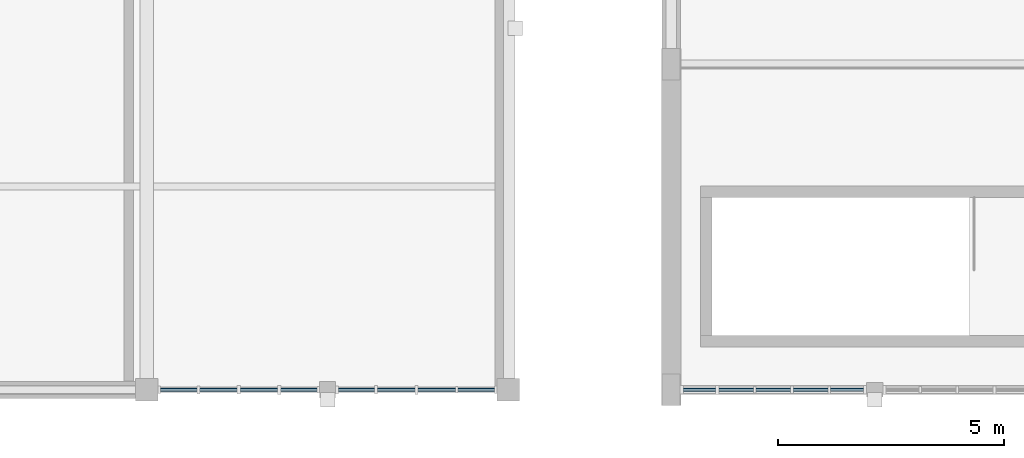
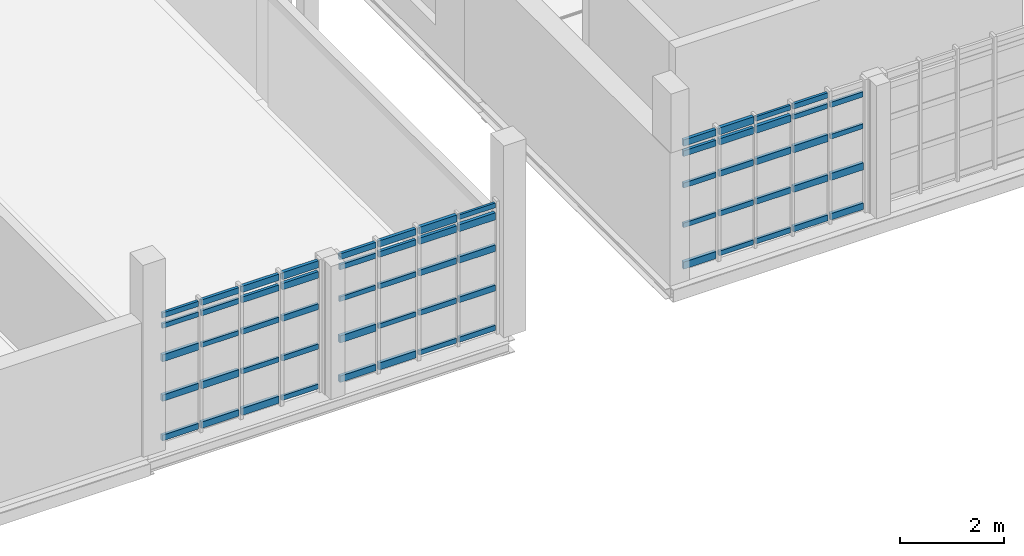
# One storey, part 52 of 125: 64 members, 3 elements without a shape of their own.
"""IFC4 building model written with IfcOpenShell, lengths in metres."""

from ifc_helpers import new_model, si_unit, direction, frame, origin, origin_2d, place, context, subcontext, project, spatial, rectangle, extrude, material, material_profile, profile_set, type_object, element, aggregate, save


model = new_model("IFC4")

# Units and contexts
model_context = context("Model", 3, precision=1e-05, world=origin(), true_north=direction((0.0, 1.0)))
body_context = subcontext(model_context, "Body", "Model", "MODEL_VIEW")
ifc_project = project(units=[si_unit("LENGTHUNIT", "METRE"), si_unit("AREAUNIT", "SQUARE_METRE"), si_unit("VOLUMEUNIT", "CUBIC_METRE"), si_unit("PLANEANGLEUNIT", "RADIAN"), si_unit("MASSUNIT", "GRAM", prefix="KILO")], contexts=[model_context])

# Site, building, storey
site_placement = place(None, origin())
site = spatial("IfcSite", under=ifc_project, at=site_placement, CompositionType="ELEMENT")
building_placement = place(site_placement, origin())
building = spatial("IfcBuilding", under=site, at=building_placement, Name="Serraforn Aerial Cableway Station", CompositionType="ELEMENT")
storey_placement = place(building_placement, frame((0.0, 0.0, 4.5)))
storey = spatial("IfcBuildingStorey", under=building, at=storey_placement, Name="L01", CompositionType="ELEMENT", Elevation=4.5)

# Curtain wall, members
ifc_material_1 = material(Name="Anodised bronze unitised curtain wall")
curtain_wall_type_1 = type_object("IfcCurtainWallType", Name="CW-SYS-11", PredefinedType="USERDEFINED", material=ifc_material_1)
curtain_wall_1_placement = place(storey_placement, origin())
curtain_wall_1 = element("IfcCurtainWall", 1, at=curtain_wall_1_placement, inside=storey, type_object=curtain_wall_type_1, Name="Unitised Curtain Wall CW-W-L01-S3A", ObjectType="UNITISED CURTAIN WALL", PredefinedType="USERDEFINED")
ifc_material_2 = material(Name="Anodised bronze extruded aluminium", Category="aluminium")
ifc_material_profile_1 = material_profile(ifc_material_2, rectangle(XDim=0.054931640625, YDim=0.110107421875, at=origin_2d()), Name="CW TRANSOM 55x110")
ifc_profile_set_1 = profile_set([ifc_material_profile_1], Name="Anodised bronze extruded aluminium")
member_type_1 = type_object("IfcMemberType", Name="CW-TRN-1", PredefinedType="USERDEFINED", material=ifc_profile_set_1)
member_1_placement = place(storey_placement, frame((16.305908203125, 0.0, 2.74560546875), z_axis=(1.0, 0.0, 0.0), x_axis=(0.0, 1.0, 0.0)))
member_1 = element("IfcMember", 2, at=member_1_placement, type_object=member_type_1, Name="Curtain Wall Transom CW-W-L01-S3A-T1-4", ObjectType="TRANSOM", PredefinedType="USERDEFINED", context=body_context, shape_type="SweptSolid", body=[
    extrude(rectangle(XDim=0.054931640625, YDim=0.110107421875, at=origin_2d()), origin(), (0.0, 0.0, 1.0), 0.8046875),
])
member_2_placement = place(storey_placement, frame((17.17138671875, 0.0, 1.996826171875), z_axis=(1.0, 0.0, 0.0), x_axis=(0.0, 1.0, 0.0)))
member_2 = element("IfcMember", 3, at=member_2_placement, type_object=member_type_1, Name="Curtain Wall Transom CW-W-L01-S3A-T2-3", ObjectType="TRANSOM", PredefinedType="USERDEFINED", context=body_context, shape_type="SweptSolid", body=[
    extrude(rectangle(XDim=0.054931640625, YDim=0.110107421875, at=origin_2d()), origin(), (0.0, 0.0, 1.0), 0.82958984375),
])
member_3_placement = place(storey_placement, frame((18.06689453125, 0.0, 1.060791015625), z_axis=(1.0, 0.0, 0.0), x_axis=(0.0, 1.0, 0.0)))
member_3 = element("IfcMember", 4, at=member_3_placement, type_object=member_type_1, Name="Curtain Wall Transom CW-W-L01-S3A-T3-2", ObjectType="TRANSOM", PredefinedType="USERDEFINED", context=body_context, shape_type="SweptSolid", body=[
    extrude(rectangle(XDim=0.054931640625, YDim=0.110107421875, at=origin_2d()), origin(), (0.0, 0.0, 1.0), 0.82470703125),
])
member_4_placement = place(storey_placement, frame((18.96240234375, 0.0, 0.124755859375), z_axis=(1.0, 0.0, 0.0), x_axis=(0.0, 1.0, 0.0)))
member_4 = element("IfcMember", 5, at=member_4_placement, type_object=member_type_1, Name="Curtain Wall Transom CW-W-L01-S3A-T4-1", ObjectType="TRANSOM", PredefinedType="USERDEFINED", context=body_context, shape_type="SweptSolid", body=[
    extrude(rectangle(XDim=0.054931640625, YDim=0.110107421875, at=origin_2d()), origin(), (0.0, 0.0, 1.0), 0.8046875),
])

curtain_wall_type_2 = type_object("IfcCurtainWallType", Name="CW-SYS-12", PredefinedType="USERDEFINED", material=ifc_material_1)
curtain_wall_2_placement = place(storey_placement, origin())
curtain_wall_2 = element("IfcCurtainWall", 6, at=curtain_wall_2_placement, inside=storey, type_object=curtain_wall_type_2, Name="Unitised Curtain Wall CW-W-L01-S3B", ObjectType="UNITISED CURTAIN WALL", PredefinedType="USERDEFINED")
member_5_placement = place(storey_placement, frame((20.242919921875, 0.0, 1.996826171875), z_axis=(1.0, 0.0, 0.0), x_axis=(0.0, 1.0, 0.0)))
member_5 = element("IfcMember", 7, at=member_5_placement, type_object=member_type_1, Name="Curtain Wall Transom CW-W-L01-S3B-T1-3", ObjectType="TRANSOM", PredefinedType="USERDEFINED", context=body_context, shape_type="SweptSolid", body=[
    extrude(rectangle(XDim=0.054931640625, YDim=0.110107421875, at=origin_2d()), origin(), (0.0, 0.0, 1.0), 0.797119140625),
])
member_6_placement = place(storey_placement, frame((21.10595703125, 0.0, 1.060791015625), z_axis=(1.0, 0.0, 0.0), x_axis=(0.0, 1.0, 0.0)))
member_6 = element("IfcMember", 8, at=member_6_placement, type_object=member_type_1, Name="Curtain Wall Transom CW-W-L01-S3B-T2-2", ObjectType="TRANSOM", PredefinedType="USERDEFINED", context=body_context, shape_type="SweptSolid", body=[
    extrude(rectangle(XDim=0.054931640625, YDim=0.110107421875, at=origin_2d()), origin(), (0.0, 0.0, 1.0), 0.824462890625),
])
member_7_placement = place(storey_placement, frame((22.00146484375, 0.0, 0.124755859375), z_axis=(1.0, 0.0, 0.0), x_axis=(0.0, 1.0, 0.0)))
member_7 = element("IfcMember", 9, at=member_7_placement, type_object=member_type_1, Name="Curtain Wall Transom CW-W-L01-S3B-T3-1", ObjectType="TRANSOM", PredefinedType="USERDEFINED", context=body_context, shape_type="SweptSolid", body=[
    extrude(rectangle(XDim=0.054931640625, YDim=0.110107421875, at=origin_2d()), origin(), (0.0, 0.0, 1.0), 0.83203125),
])
member_8_placement = place(storey_placement, frame((22.884521484375, 0.0, 2.9951171875), z_axis=(1.0, 0.0, 0.0), x_axis=(0.0, 1.0, 0.0)))
member_8 = element("IfcMember", 10, at=member_8_placement, type_object=member_type_1, Name="Curtain Wall Transom CW-W-L01-S3B-T4-5", ObjectType="TRANSOM", PredefinedType="USERDEFINED", context=body_context, shape_type="SweptSolid", body=[
    extrude(rectangle(XDim=0.054931640625, YDim=0.110107421875, at=origin_2d()), origin(), (0.0, 0.0, 1.0), 0.8095703125),
])

curtain_wall_type_3 = type_object("IfcCurtainWallType", Name="CW-SYS-25", PredefinedType="USERDEFINED", material=ifc_material_1)
curtain_wall_3_placement = place(storey_placement, origin())
curtain_wall_3 = element("IfcCurtainWall", 11, at=curtain_wall_3_placement, inside=storey, type_object=curtain_wall_type_3, Name="Unitised Curtain Wall CW-CF-L01-S1A", ObjectType="UNITISED CURTAIN WALL", PredefinedType="USERDEFINED")
member_9_placement = place(storey_placement, frame((27.865966796875, 0.0, 1.060791015625), z_axis=(1.0, 0.0, 0.0), x_axis=(0.0, 1.0, 0.0)))
member_9 = element("IfcMember", 12, at=member_9_placement, type_object=member_type_1, Name="Curtain Wall Transom CW-CF-L01-S1A-T1-2", ObjectType="TRANSOM", PredefinedType="USERDEFINED", context=body_context, shape_type="SweptSolid", body=[
    extrude(rectangle(XDim=0.054931640625, YDim=0.110107421875, at=origin_2d()), origin(), (0.0, 0.0, 1.0), 0.720947265625),
])
member_10_placement = place(storey_placement, frame((28.657958984375, 0.0, 0.124755859375), z_axis=(1.0, 0.0, 0.0), x_axis=(0.0, 1.0, 0.0)))
member_10 = element("IfcMember", 13, at=member_10_placement, type_object=member_type_1, Name="Curtain Wall Transom CW-CF-L01-S1A-T2-1", ObjectType="TRANSOM", PredefinedType="USERDEFINED", context=body_context, shape_type="SweptSolid", body=[
    extrude(rectangle(XDim=0.054931640625, YDim=0.110107421875, at=origin_2d()), origin(), (0.0, 0.0, 1.0), 0.763427734375),
])
member_11_placement = place(storey_placement, frame((29.472412109375, 0.0, 2.9951171875), z_axis=(1.0, 0.0, 0.0), x_axis=(0.0, 1.0, 0.0)))
member_11 = element("IfcMember", 14, at=member_11_placement, type_object=member_type_1, Name="Curtain Wall Transom CW-CF-L01-S1A-T3-5", ObjectType="TRANSOM", PredefinedType="USERDEFINED", context=body_context, shape_type="SweptSolid", body=[
    extrude(rectangle(XDim=0.054931640625, YDim=0.110107421875, at=origin_2d()), origin(), (0.0, 0.0, 1.0), 0.770751953125),
])
member_12_placement = place(storey_placement, frame((30.29931640625, 0.0, 2.74560546875), z_axis=(1.0, 0.0, 0.0), x_axis=(0.0, 1.0, 0.0)))
member_12 = element("IfcMember", 15, at=member_12_placement, type_object=member_type_1, Name="Curtain Wall Transom CW-CF-L01-S1A-T4-4", ObjectType="TRANSOM", PredefinedType="USERDEFINED", context=body_context, shape_type="SweptSolid", body=[
    extrude(rectangle(XDim=0.054931640625, YDim=0.110107421875, at=origin_2d()), origin(), (0.0, 0.0, 1.0), 0.765869140625),
])
member_13_placement = place(storey_placement, frame((31.126220703125, 0.0, 1.996826171875), z_axis=(1.0, 0.0, 0.0), x_axis=(0.0, 1.0, 0.0)))
member_13 = element("IfcMember", 16, at=member_13_placement, type_object=member_type_1, Name="Curtain Wall Transom CW-CF-L01-S1A-T5-3", ObjectType="TRANSOM", PredefinedType="USERDEFINED", context=body_context, shape_type="SweptSolid", body=[
    extrude(rectangle(XDim=0.054931640625, YDim=0.110107421875, at=origin_2d()), origin(), (0.0, 0.0, 1.0), 0.725830078125),
])

# Member
ifc_material_profile_2 = material_profile(ifc_material_2, rectangle(XDim=0.06005859375, YDim=0.1201171875, at=origin_2d()), Name="CW TRANSOM 60x120")
ifc_profile_set_2 = profile_set([ifc_material_profile_2], Name="Anodised bronze extruded aluminium")
member_type_2 = type_object("IfcMemberType", Name="CW-TRN-2", PredefinedType="USERDEFINED", material=ifc_profile_set_2)
member_14_placement = place(storey_placement, frame((16.305908203125, 0.0, 2.9951171875), z_axis=(1.0, 0.0, 0.0), x_axis=(0.0, 1.0, 0.0)))
member_14 = element("IfcMember", 17, at=member_14_placement, type_object=member_type_2, Name="Curtain Wall Transom CW-W-L01-S3A-T1-5", ObjectType="TRANSOM", PredefinedType="USERDEFINED", context=body_context, shape_type="SweptSolid", body=[
    extrude(rectangle(XDim=0.06005859375, YDim=0.1201171875, at=origin_2d()), origin(), (0.0, 0.0, 1.0), 0.8046875),
])

member_15_placement = place(storey_placement, frame((17.17138671875, 0.0, 2.74560546875), z_axis=(1.0, 0.0, 0.0), x_axis=(0.0, 1.0, 0.0)))
member_15 = element("IfcMember", 18, at=member_15_placement, type_object=member_type_2, Name="Curtain Wall Transom CW-W-L01-S3A-T2-4", ObjectType="TRANSOM", PredefinedType="USERDEFINED", context=body_context, shape_type="SweptSolid", body=[
    extrude(rectangle(XDim=0.06005859375, YDim=0.1201171875, at=origin_2d()), origin(), (0.0, 0.0, 1.0), 0.82958984375),
])

member_16_placement = place(storey_placement, frame((18.06689453125, 0.0, 1.996826171875), z_axis=(1.0, 0.0, 0.0), x_axis=(0.0, 1.0, 0.0)))
member_16 = element("IfcMember", 19, at=member_16_placement, type_object=member_type_2, Name="Curtain Wall Transom CW-W-L01-S3A-T3-3", ObjectType="TRANSOM", PredefinedType="USERDEFINED", context=body_context, shape_type="SweptSolid", body=[
    extrude(rectangle(XDim=0.06005859375, YDim=0.1201171875, at=origin_2d()), origin(), (0.0, 0.0, 1.0), 0.82470703125),
])

member_17_placement = place(storey_placement, frame((18.96240234375, 0.0, 1.060791015625), z_axis=(1.0, 0.0, 0.0), x_axis=(0.0, 1.0, 0.0)))
member_17 = element("IfcMember", 20, at=member_17_placement, type_object=member_type_2, Name="Curtain Wall Transom CW-W-L01-S3A-T4-2", ObjectType="TRANSOM", PredefinedType="USERDEFINED", context=body_context, shape_type="SweptSolid", body=[
    extrude(rectangle(XDim=0.06005859375, YDim=0.1201171875, at=origin_2d()), origin(), (0.0, 0.0, 1.0), 0.8046875),
])

member_18_placement = place(storey_placement, frame((20.242919921875, 0.0, 2.74560546875), z_axis=(1.0, 0.0, 0.0), x_axis=(0.0, 1.0, 0.0)))
member_18 = element("IfcMember", 21, at=member_18_placement, type_object=member_type_2, Name="Curtain Wall Transom CW-W-L01-S3B-T1-4", ObjectType="TRANSOM", PredefinedType="USERDEFINED", context=body_context, shape_type="SweptSolid", body=[
    extrude(rectangle(XDim=0.06005859375, YDim=0.1201171875, at=origin_2d()), origin(), (0.0, 0.0, 1.0), 0.797119140625),
])

member_19_placement = place(storey_placement, frame((21.10595703125, 0.0, 1.996826171875), z_axis=(1.0, 0.0, 0.0), x_axis=(0.0, 1.0, 0.0)))
member_19 = element("IfcMember", 22, at=member_19_placement, type_object=member_type_2, Name="Curtain Wall Transom CW-W-L01-S3B-T2-3", ObjectType="TRANSOM", PredefinedType="USERDEFINED", context=body_context, shape_type="SweptSolid", body=[
    extrude(rectangle(XDim=0.06005859375, YDim=0.1201171875, at=origin_2d()), origin(), (0.0, 0.0, 1.0), 0.824462890625),
])

member_20_placement = place(storey_placement, frame((22.00146484375, 0.0, 1.060791015625), z_axis=(1.0, 0.0, 0.0), x_axis=(0.0, 1.0, 0.0)))
member_20 = element("IfcMember", 23, at=member_20_placement, type_object=member_type_2, Name="Curtain Wall Transom CW-W-L01-S3B-T3-2", ObjectType="TRANSOM", PredefinedType="USERDEFINED", context=body_context, shape_type="SweptSolid", body=[
    extrude(rectangle(XDim=0.06005859375, YDim=0.1201171875, at=origin_2d()), origin(), (0.0, 0.0, 1.0), 0.83203125),
])

member_21_placement = place(storey_placement, frame((22.884521484375, 0.0, 0.124755859375), z_axis=(1.0, 0.0, 0.0), x_axis=(0.0, 1.0, 0.0)))
member_21 = element("IfcMember", 24, at=member_21_placement, type_object=member_type_2, Name="Curtain Wall Transom CW-W-L01-S3B-T4-1", ObjectType="TRANSOM", PredefinedType="USERDEFINED", context=body_context, shape_type="SweptSolid", body=[
    extrude(rectangle(XDim=0.06005859375, YDim=0.1201171875, at=origin_2d()), origin(), (0.0, 0.0, 1.0), 0.8095703125),
])

member_22_placement = place(storey_placement, frame((27.865966796875, 0.0, 1.996826171875), z_axis=(1.0, 0.0, 0.0), x_axis=(0.0, 1.0, 0.0)))
member_22 = element("IfcMember", 25, at=member_22_placement, type_object=member_type_2, Name="Curtain Wall Transom CW-CF-L01-S1A-T1-3", ObjectType="TRANSOM", PredefinedType="USERDEFINED", context=body_context, shape_type="SweptSolid", body=[
    extrude(rectangle(XDim=0.06005859375, YDim=0.1201171875, at=origin_2d()), origin(), (0.0, 0.0, 1.0), 0.720947265625),
])

member_23_placement = place(storey_placement, frame((28.657958984375, 0.0, 1.060791015625), z_axis=(1.0, 0.0, 0.0), x_axis=(0.0, 1.0, 0.0)))
member_23 = element("IfcMember", 26, at=member_23_placement, type_object=member_type_2, Name="Curtain Wall Transom CW-CF-L01-S1A-T2-2", ObjectType="TRANSOM", PredefinedType="USERDEFINED", context=body_context, shape_type="SweptSolid", body=[
    extrude(rectangle(XDim=0.06005859375, YDim=0.1201171875, at=origin_2d()), origin(), (0.0, 0.0, 1.0), 0.763427734375),
])

member_24_placement = place(storey_placement, frame((29.472412109375, 0.0, 0.124755859375), z_axis=(1.0, 0.0, 0.0), x_axis=(0.0, 1.0, 0.0)))
member_24 = element("IfcMember", 27, at=member_24_placement, type_object=member_type_2, Name="Curtain Wall Transom CW-CF-L01-S1A-T3-1", ObjectType="TRANSOM", PredefinedType="USERDEFINED", context=body_context, shape_type="SweptSolid", body=[
    extrude(rectangle(XDim=0.06005859375, YDim=0.1201171875, at=origin_2d()), origin(), (0.0, 0.0, 1.0), 0.770751953125),
])

member_25_placement = place(storey_placement, frame((30.29931640625, 0.0, 2.9951171875), z_axis=(1.0, 0.0, 0.0), x_axis=(0.0, 1.0, 0.0)))
member_25 = element("IfcMember", 28, at=member_25_placement, type_object=member_type_2, Name="Curtain Wall Transom CW-CF-L01-S1A-T4-5", ObjectType="TRANSOM", PredefinedType="USERDEFINED", context=body_context, shape_type="SweptSolid", body=[
    extrude(rectangle(XDim=0.06005859375, YDim=0.1201171875, at=origin_2d()), origin(), (0.0, 0.0, 1.0), 0.765869140625),
])

member_26_placement = place(storey_placement, frame((31.126220703125, 0.0, 2.74560546875), z_axis=(1.0, 0.0, 0.0), x_axis=(0.0, 1.0, 0.0)))
member_26 = element("IfcMember", 29, at=member_26_placement, type_object=member_type_2, Name="Curtain Wall Transom CW-CF-L01-S1A-T5-4", ObjectType="TRANSOM", PredefinedType="USERDEFINED", context=body_context, shape_type="SweptSolid", body=[
    extrude(rectangle(XDim=0.06005859375, YDim=0.1201171875, at=origin_2d()), origin(), (0.0, 0.0, 1.0), 0.725830078125),
])

ifc_material_profile_3 = material_profile(ifc_material_2, rectangle(XDim=0.06494140625, YDim=0.135009765625, at=origin_2d()), Name="CW TRANSOM 65x135")
ifc_profile_set_3 = profile_set([ifc_material_profile_3], Name="Anodised bronze extruded aluminium")
member_type_3 = type_object("IfcMemberType", Name="CW-TRN-3", PredefinedType="USERDEFINED", material=ifc_profile_set_3)
member_27_placement = place(storey_placement, frame((16.305908203125, 0.0, 0.124755859375), z_axis=(1.0, 0.0, 0.0), x_axis=(0.0, 1.0, 0.0)))
member_27 = element("IfcMember", 30, at=member_27_placement, type_object=member_type_3, Name="Curtain Wall Transom CW-W-L01-S3A-T1-1", ObjectType="TRANSOM", PredefinedType="USERDEFINED", context=body_context, shape_type="SweptSolid", body=[
    extrude(rectangle(XDim=0.06494140625, YDim=0.135009765625, at=origin_2d()), origin(), (0.0, 0.0, 1.0), 0.8046875),
])

member_28_placement = place(storey_placement, frame((17.17138671875, 0.0, 2.9951171875), z_axis=(1.0, 0.0, 0.0), x_axis=(0.0, 1.0, 0.0)))
member_28 = element("IfcMember", 31, at=member_28_placement, type_object=member_type_3, Name="Curtain Wall Transom CW-W-L01-S3A-T2-5", ObjectType="TRANSOM", PredefinedType="USERDEFINED", context=body_context, shape_type="SweptSolid", body=[
    extrude(rectangle(XDim=0.06494140625, YDim=0.135009765625, at=origin_2d()), origin(), (0.0, 0.0, 1.0), 0.82958984375),
])

member_29_placement = place(storey_placement, frame((18.06689453125, 0.0, 2.74560546875), z_axis=(1.0, 0.0, 0.0), x_axis=(0.0, 1.0, 0.0)))
member_29 = element("IfcMember", 32, at=member_29_placement, type_object=member_type_3, Name="Curtain Wall Transom CW-W-L01-S3A-T3-4", ObjectType="TRANSOM", PredefinedType="USERDEFINED", context=body_context, shape_type="SweptSolid", body=[
    extrude(rectangle(XDim=0.06494140625, YDim=0.135009765625, at=origin_2d()), origin(), (0.0, 0.0, 1.0), 0.82470703125),
])

member_30_placement = place(storey_placement, frame((18.96240234375, 0.0, 1.996826171875), z_axis=(1.0, 0.0, 0.0), x_axis=(0.0, 1.0, 0.0)))
member_30 = element("IfcMember", 33, at=member_30_placement, type_object=member_type_3, Name="Curtain Wall Transom CW-W-L01-S3A-T4-3", ObjectType="TRANSOM", PredefinedType="USERDEFINED", context=body_context, shape_type="SweptSolid", body=[
    extrude(rectangle(XDim=0.06494140625, YDim=0.135009765625, at=origin_2d()), origin(), (0.0, 0.0, 1.0), 0.8046875),
])

member_31_placement = place(storey_placement, frame((20.242919921875, 0.0, 2.9951171875), z_axis=(1.0, 0.0, 0.0), x_axis=(0.0, 1.0, 0.0)))
member_31 = element("IfcMember", 34, at=member_31_placement, type_object=member_type_3, Name="Curtain Wall Transom CW-W-L01-S3B-T1-5", ObjectType="TRANSOM", PredefinedType="USERDEFINED", context=body_context, shape_type="SweptSolid", body=[
    extrude(rectangle(XDim=0.06494140625, YDim=0.135009765625, at=origin_2d()), origin(), (0.0, 0.0, 1.0), 0.797119140625),
])

member_32_placement = place(storey_placement, frame((21.10595703125, 0.0, 2.74560546875), z_axis=(1.0, 0.0, 0.0), x_axis=(0.0, 1.0, 0.0)))
member_32 = element("IfcMember", 35, at=member_32_placement, type_object=member_type_3, Name="Curtain Wall Transom CW-W-L01-S3B-T2-4", ObjectType="TRANSOM", PredefinedType="USERDEFINED", context=body_context, shape_type="SweptSolid", body=[
    extrude(rectangle(XDim=0.06494140625, YDim=0.135009765625, at=origin_2d()), origin(), (0.0, 0.0, 1.0), 0.824462890625),
])

member_33_placement = place(storey_placement, frame((22.00146484375, 0.0, 1.996826171875), z_axis=(1.0, 0.0, 0.0), x_axis=(0.0, 1.0, 0.0)))
member_33 = element("IfcMember", 36, at=member_33_placement, type_object=member_type_3, Name="Curtain Wall Transom CW-W-L01-S3B-T3-3", ObjectType="TRANSOM", PredefinedType="USERDEFINED", context=body_context, shape_type="SweptSolid", body=[
    extrude(rectangle(XDim=0.06494140625, YDim=0.135009765625, at=origin_2d()), origin(), (0.0, 0.0, 1.0), 0.83203125),
])

member_34_placement = place(storey_placement, frame((22.884521484375, 0.0, 1.060791015625), z_axis=(1.0, 0.0, 0.0), x_axis=(0.0, 1.0, 0.0)))
member_34 = element("IfcMember", 37, at=member_34_placement, type_object=member_type_3, Name="Curtain Wall Transom CW-W-L01-S3B-T4-2", ObjectType="TRANSOM", PredefinedType="USERDEFINED", context=body_context, shape_type="SweptSolid", body=[
    extrude(rectangle(XDim=0.06494140625, YDim=0.135009765625, at=origin_2d()), origin(), (0.0, 0.0, 1.0), 0.8095703125),
])

member_35_placement = place(storey_placement, frame((27.865966796875, 0.0, 2.74560546875), z_axis=(1.0, 0.0, 0.0), x_axis=(0.0, 1.0, 0.0)))
member_35 = element("IfcMember", 38, at=member_35_placement, type_object=member_type_3, Name="Curtain Wall Transom CW-CF-L01-S1A-T1-4", ObjectType="TRANSOM", PredefinedType="USERDEFINED", context=body_context, shape_type="SweptSolid", body=[
    extrude(rectangle(XDim=0.06494140625, YDim=0.135009765625, at=origin_2d()), origin(), (0.0, 0.0, 1.0), 0.720947265625),
])

member_36_placement = place(storey_placement, frame((28.657958984375, 0.0, 1.996826171875), z_axis=(1.0, 0.0, 0.0), x_axis=(0.0, 1.0, 0.0)))
member_36 = element("IfcMember", 39, at=member_36_placement, type_object=member_type_3, Name="Curtain Wall Transom CW-CF-L01-S1A-T2-3", ObjectType="TRANSOM", PredefinedType="USERDEFINED", context=body_context, shape_type="SweptSolid", body=[
    extrude(rectangle(XDim=0.06494140625, YDim=0.135009765625, at=origin_2d()), origin(), (0.0, 0.0, 1.0), 0.763427734375),
])

member_37_placement = place(storey_placement, frame((29.472412109375, 0.0, 1.060791015625), z_axis=(1.0, 0.0, 0.0), x_axis=(0.0, 1.0, 0.0)))
member_37 = element("IfcMember", 40, at=member_37_placement, type_object=member_type_3, Name="Curtain Wall Transom CW-CF-L01-S1A-T3-2", ObjectType="TRANSOM", PredefinedType="USERDEFINED", context=body_context, shape_type="SweptSolid", body=[
    extrude(rectangle(XDim=0.06494140625, YDim=0.135009765625, at=origin_2d()), origin(), (0.0, 0.0, 1.0), 0.770751953125),
])

member_38_placement = place(storey_placement, frame((30.29931640625, 0.0, 0.124755859375), z_axis=(1.0, 0.0, 0.0), x_axis=(0.0, 1.0, 0.0)))
member_38 = element("IfcMember", 41, at=member_38_placement, type_object=member_type_3, Name="Curtain Wall Transom CW-CF-L01-S1A-T4-1", ObjectType="TRANSOM", PredefinedType="USERDEFINED", context=body_context, shape_type="SweptSolid", body=[
    extrude(rectangle(XDim=0.06494140625, YDim=0.135009765625, at=origin_2d()), origin(), (0.0, 0.0, 1.0), 0.765869140625),
])

ifc_material_profile_4 = material_profile(ifc_material_2, rectangle(XDim=0.070068359375, YDim=0.14990234375, at=origin_2d()), Name="CW TRANSOM 70x150")
ifc_profile_set_4 = profile_set([ifc_material_profile_4], Name="Anodised bronze extruded aluminium")
member_type_4 = type_object("IfcMemberType", Name="CW-TRN-4", PredefinedType="USERDEFINED", material=ifc_profile_set_4)
member_39_placement = place(storey_placement, frame((16.305908203125, 0.0, 1.060791015625), z_axis=(1.0, 0.0, 0.0), x_axis=(0.0, 1.0, 0.0)))
member_39 = element("IfcMember", 42, at=member_39_placement, type_object=member_type_4, Name="Curtain Wall Transom CW-W-L01-S3A-T1-2", ObjectType="TRANSOM", PredefinedType="USERDEFINED", context=body_context, shape_type="SweptSolid", body=[
    extrude(rectangle(XDim=0.070068359375, YDim=0.14990234375, at=origin_2d()), origin(), (0.0, 0.0, 1.0), 0.8046875),
])

member_40_placement = place(storey_placement, frame((17.17138671875, 0.0, 0.124755859375), z_axis=(1.0, 0.0, 0.0), x_axis=(0.0, 1.0, 0.0)))
member_40 = element("IfcMember", 43, at=member_40_placement, type_object=member_type_4, Name="Curtain Wall Transom CW-W-L01-S3A-T2-1", ObjectType="TRANSOM", PredefinedType="USERDEFINED", context=body_context, shape_type="SweptSolid", body=[
    extrude(rectangle(XDim=0.070068359375, YDim=0.14990234375, at=origin_2d()), origin(), (0.0, 0.0, 1.0), 0.82958984375),
])

member_41_placement = place(storey_placement, frame((18.06689453125, 0.0, 2.9951171875), z_axis=(1.0, 0.0, 0.0), x_axis=(0.0, 1.0, 0.0)))
member_41 = element("IfcMember", 44, at=member_41_placement, type_object=member_type_4, Name="Curtain Wall Transom CW-W-L01-S3A-T3-5", ObjectType="TRANSOM", PredefinedType="USERDEFINED", context=body_context, shape_type="SweptSolid", body=[
    extrude(rectangle(XDim=0.070068359375, YDim=0.14990234375, at=origin_2d()), origin(), (0.0, 0.0, 1.0), 0.82470703125),
])

member_42_placement = place(storey_placement, frame((18.96240234375, 0.0, 2.74560546875), z_axis=(1.0, 0.0, 0.0), x_axis=(0.0, 1.0, 0.0)))
member_42 = element("IfcMember", 45, at=member_42_placement, type_object=member_type_4, Name="Curtain Wall Transom CW-W-L01-S3A-T4-4", ObjectType="TRANSOM", PredefinedType="USERDEFINED", context=body_context, shape_type="SweptSolid", body=[
    extrude(rectangle(XDim=0.070068359375, YDim=0.14990234375, at=origin_2d()), origin(), (0.0, 0.0, 1.0), 0.8046875),
])

member_43_placement = place(storey_placement, frame((20.242919921875, 0.0, 0.124755859375), z_axis=(1.0, 0.0, 0.0), x_axis=(0.0, 1.0, 0.0)))
member_43 = element("IfcMember", 46, at=member_43_placement, type_object=member_type_4, Name="Curtain Wall Transom CW-W-L01-S3B-T1-1", ObjectType="TRANSOM", PredefinedType="USERDEFINED", context=body_context, shape_type="SweptSolid", body=[
    extrude(rectangle(XDim=0.070068359375, YDim=0.14990234375, at=origin_2d()), origin(), (0.0, 0.0, 1.0), 0.797119140625),
])

member_44_placement = place(storey_placement, frame((21.10595703125, 0.0, 2.9951171875), z_axis=(1.0, 0.0, 0.0), x_axis=(0.0, 1.0, 0.0)))
member_44 = element("IfcMember", 47, at=member_44_placement, type_object=member_type_4, Name="Curtain Wall Transom CW-W-L01-S3B-T2-5", ObjectType="TRANSOM", PredefinedType="USERDEFINED", context=body_context, shape_type="SweptSolid", body=[
    extrude(rectangle(XDim=0.070068359375, YDim=0.14990234375, at=origin_2d()), origin(), (0.0, 0.0, 1.0), 0.824462890625),
])

member_45_placement = place(storey_placement, frame((22.00146484375, 0.0, 2.74560546875), z_axis=(1.0, 0.0, 0.0), x_axis=(0.0, 1.0, 0.0)))
member_45 = element("IfcMember", 48, at=member_45_placement, type_object=member_type_4, Name="Curtain Wall Transom CW-W-L01-S3B-T3-4", ObjectType="TRANSOM", PredefinedType="USERDEFINED", context=body_context, shape_type="SweptSolid", body=[
    extrude(rectangle(XDim=0.070068359375, YDim=0.14990234375, at=origin_2d()), origin(), (0.0, 0.0, 1.0), 0.83203125),
])

member_46_placement = place(storey_placement, frame((22.884521484375, 0.0, 1.996826171875), z_axis=(1.0, 0.0, 0.0), x_axis=(0.0, 1.0, 0.0)))
member_46 = element("IfcMember", 49, at=member_46_placement, type_object=member_type_4, Name="Curtain Wall Transom CW-W-L01-S3B-T4-3", ObjectType="TRANSOM", PredefinedType="USERDEFINED", context=body_context, shape_type="SweptSolid", body=[
    extrude(rectangle(XDim=0.070068359375, YDim=0.14990234375, at=origin_2d()), origin(), (0.0, 0.0, 1.0), 0.8095703125),
])

member_47_placement = place(storey_placement, frame((27.865966796875, 0.0, 2.9951171875), z_axis=(1.0, 0.0, 0.0), x_axis=(0.0, 1.0, 0.0)))
member_47 = element("IfcMember", 50, at=member_47_placement, type_object=member_type_4, Name="Curtain Wall Transom CW-CF-L01-S1A-T1-5", ObjectType="TRANSOM", PredefinedType="USERDEFINED", context=body_context, shape_type="SweptSolid", body=[
    extrude(rectangle(XDim=0.070068359375, YDim=0.14990234375, at=origin_2d()), origin(), (0.0, 0.0, 1.0), 0.720947265625),
])

member_48_placement = place(storey_placement, frame((28.657958984375, 0.0, 2.74560546875), z_axis=(1.0, 0.0, 0.0), x_axis=(0.0, 1.0, 0.0)))
member_48 = element("IfcMember", 51, at=member_48_placement, type_object=member_type_4, Name="Curtain Wall Transom CW-CF-L01-S1A-T2-4", ObjectType="TRANSOM", PredefinedType="USERDEFINED", context=body_context, shape_type="SweptSolid", body=[
    extrude(rectangle(XDim=0.070068359375, YDim=0.14990234375, at=origin_2d()), origin(), (0.0, 0.0, 1.0), 0.763427734375),
])

member_49_placement = place(storey_placement, frame((29.472412109375, 0.0, 1.996826171875), z_axis=(1.0, 0.0, 0.0), x_axis=(0.0, 1.0, 0.0)))
member_49 = element("IfcMember", 52, at=member_49_placement, type_object=member_type_4, Name="Curtain Wall Transom CW-CF-L01-S1A-T3-3", ObjectType="TRANSOM", PredefinedType="USERDEFINED", context=body_context, shape_type="SweptSolid", body=[
    extrude(rectangle(XDim=0.070068359375, YDim=0.14990234375, at=origin_2d()), origin(), (0.0, 0.0, 1.0), 0.770751953125),
])

member_50_placement = place(storey_placement, frame((30.29931640625, 0.0, 1.060791015625), z_axis=(1.0, 0.0, 0.0), x_axis=(0.0, 1.0, 0.0)))
member_50 = element("IfcMember", 53, at=member_50_placement, type_object=member_type_4, Name="Curtain Wall Transom CW-CF-L01-S1A-T4-2", ObjectType="TRANSOM", PredefinedType="USERDEFINED", context=body_context, shape_type="SweptSolid", body=[
    extrude(rectangle(XDim=0.070068359375, YDim=0.14990234375, at=origin_2d()), origin(), (0.0, 0.0, 1.0), 0.765869140625),
])

member_51_placement = place(storey_placement, frame((31.126220703125, 0.0, 0.124755859375), z_axis=(1.0, 0.0, 0.0), x_axis=(0.0, 1.0, 0.0)))
member_51 = element("IfcMember", 54, at=member_51_placement, type_object=member_type_4, Name="Curtain Wall Transom CW-CF-L01-S1A-T5-1", ObjectType="TRANSOM", PredefinedType="USERDEFINED", context=body_context, shape_type="SweptSolid", body=[
    extrude(rectangle(XDim=0.070068359375, YDim=0.14990234375, at=origin_2d()), origin(), (0.0, 0.0, 1.0), 0.725830078125),
])

ifc_material_profile_5 = material_profile(ifc_material_2, rectangle(XDim=0.074951171875, YDim=0.1650390625, at=origin_2d()), Name="CW TRANSOM 75x165")
ifc_profile_set_5 = profile_set([ifc_material_profile_5], Name="Anodised bronze extruded aluminium")
member_type_5 = type_object("IfcMemberType", Name="CW-TRN-5", PredefinedType="USERDEFINED", material=ifc_profile_set_5)
member_52_placement = place(storey_placement, frame((16.305908203125, 0.0, 1.996826171875), z_axis=(1.0, 0.0, 0.0), x_axis=(0.0, 1.0, 0.0)))
member_52 = element("IfcMember", 55, at=member_52_placement, type_object=member_type_5, Name="Curtain Wall Transom CW-W-L01-S3A-T1-3", ObjectType="TRANSOM", PredefinedType="USERDEFINED", context=body_context, shape_type="SweptSolid", body=[
    extrude(rectangle(XDim=0.074951171875, YDim=0.1650390625, at=origin_2d()), origin(), (0.0, 0.0, 1.0), 0.8046875),
])

member_53_placement = place(storey_placement, frame((17.17138671875, 0.0, 1.060791015625), z_axis=(1.0, 0.0, 0.0), x_axis=(0.0, 1.0, 0.0)))
member_53 = element("IfcMember", 56, at=member_53_placement, type_object=member_type_5, Name="Curtain Wall Transom CW-W-L01-S3A-T2-2", ObjectType="TRANSOM", PredefinedType="USERDEFINED", context=body_context, shape_type="SweptSolid", body=[
    extrude(rectangle(XDim=0.074951171875, YDim=0.1650390625, at=origin_2d()), origin(), (0.0, 0.0, 1.0), 0.82958984375),
])

member_54_placement = place(storey_placement, frame((18.06689453125, 0.0, 0.124755859375), z_axis=(1.0, 0.0, 0.0), x_axis=(0.0, 1.0, 0.0)))
member_54 = element("IfcMember", 57, at=member_54_placement, type_object=member_type_5, Name="Curtain Wall Transom CW-W-L01-S3A-T3-1", ObjectType="TRANSOM", PredefinedType="USERDEFINED", context=body_context, shape_type="SweptSolid", body=[
    extrude(rectangle(XDim=0.074951171875, YDim=0.1650390625, at=origin_2d()), origin(), (0.0, 0.0, 1.0), 0.82470703125),
])

member_55_placement = place(storey_placement, frame((18.96240234375, 0.0, 2.9951171875), z_axis=(1.0, 0.0, 0.0), x_axis=(0.0, 1.0, 0.0)))
member_55 = element("IfcMember", 58, at=member_55_placement, type_object=member_type_5, Name="Curtain Wall Transom CW-W-L01-S3A-T4-5", ObjectType="TRANSOM", PredefinedType="USERDEFINED", context=body_context, shape_type="SweptSolid", body=[
    extrude(rectangle(XDim=0.074951171875, YDim=0.1650390625, at=origin_2d()), origin(), (0.0, 0.0, 1.0), 0.8046875),
])

aggregate(curtain_wall_1, [member_27, member_39, member_52, member_1, member_14, member_40, member_53, member_2, member_15, member_28, member_54, member_3, member_16, member_29, member_41, member_4, member_17, member_30, member_42, member_55])

member_56_placement = place(storey_placement, frame((20.242919921875, 0.0, 1.060791015625), z_axis=(1.0, 0.0, 0.0), x_axis=(0.0, 1.0, 0.0)))
member_56 = element("IfcMember", 59, at=member_56_placement, type_object=member_type_5, Name="Curtain Wall Transom CW-W-L01-S3B-T1-2", ObjectType="TRANSOM", PredefinedType="USERDEFINED", context=body_context, shape_type="SweptSolid", body=[
    extrude(rectangle(XDim=0.074951171875, YDim=0.1650390625, at=origin_2d()), origin(), (0.0, 0.0, 1.0), 0.797119140625),
])

member_57_placement = place(storey_placement, frame((21.10595703125, 0.0, 0.124755859375), z_axis=(1.0, 0.0, 0.0), x_axis=(0.0, 1.0, 0.0)))
member_57 = element("IfcMember", 60, at=member_57_placement, type_object=member_type_5, Name="Curtain Wall Transom CW-W-L01-S3B-T2-1", ObjectType="TRANSOM", PredefinedType="USERDEFINED", context=body_context, shape_type="SweptSolid", body=[
    extrude(rectangle(XDim=0.074951171875, YDim=0.1650390625, at=origin_2d()), origin(), (0.0, 0.0, 1.0), 0.824462890625),
])

member_58_placement = place(storey_placement, frame((22.00146484375, 0.0, 2.9951171875), z_axis=(1.0, 0.0, 0.0), x_axis=(0.0, 1.0, 0.0)))
member_58 = element("IfcMember", 61, at=member_58_placement, type_object=member_type_5, Name="Curtain Wall Transom CW-W-L01-S3B-T3-5", ObjectType="TRANSOM", PredefinedType="USERDEFINED", context=body_context, shape_type="SweptSolid", body=[
    extrude(rectangle(XDim=0.074951171875, YDim=0.1650390625, at=origin_2d()), origin(), (0.0, 0.0, 1.0), 0.83203125),
])

member_59_placement = place(storey_placement, frame((22.884521484375, 0.0, 2.74560546875), z_axis=(1.0, 0.0, 0.0), x_axis=(0.0, 1.0, 0.0)))
member_59 = element("IfcMember", 62, at=member_59_placement, type_object=member_type_5, Name="Curtain Wall Transom CW-W-L01-S3B-T4-4", ObjectType="TRANSOM", PredefinedType="USERDEFINED", context=body_context, shape_type="SweptSolid", body=[
    extrude(rectangle(XDim=0.074951171875, YDim=0.1650390625, at=origin_2d()), origin(), (0.0, 0.0, 1.0), 0.8095703125),
])

aggregate(curtain_wall_2, [member_43, member_56, member_5, member_18, member_31, member_57, member_6, member_19, member_32, member_44, member_7, member_20, member_33, member_45, member_58, member_21, member_34, member_46, member_59, member_8])

member_60_placement = place(storey_placement, frame((27.865966796875, 0.0, 0.124755859375), z_axis=(1.0, 0.0, 0.0), x_axis=(0.0, 1.0, 0.0)))
member_60 = element("IfcMember", 63, at=member_60_placement, type_object=member_type_5, Name="Curtain Wall Transom CW-CF-L01-S1A-T1-1", ObjectType="TRANSOM", PredefinedType="USERDEFINED", context=body_context, shape_type="SweptSolid", body=[
    extrude(rectangle(XDim=0.074951171875, YDim=0.1650390625, at=origin_2d()), origin(), (0.0, 0.0, 1.0), 0.720947265625),
])

member_61_placement = place(storey_placement, frame((28.657958984375, 0.0, 2.9951171875), z_axis=(1.0, 0.0, 0.0), x_axis=(0.0, 1.0, 0.0)))
member_61 = element("IfcMember", 64, at=member_61_placement, type_object=member_type_5, Name="Curtain Wall Transom CW-CF-L01-S1A-T2-5", ObjectType="TRANSOM", PredefinedType="USERDEFINED", context=body_context, shape_type="SweptSolid", body=[
    extrude(rectangle(XDim=0.074951171875, YDim=0.1650390625, at=origin_2d()), origin(), (0.0, 0.0, 1.0), 0.763427734375),
])

member_62_placement = place(storey_placement, frame((29.472412109375, 0.0, 2.74560546875), z_axis=(1.0, 0.0, 0.0), x_axis=(0.0, 1.0, 0.0)))
member_62 = element("IfcMember", 65, at=member_62_placement, type_object=member_type_5, Name="Curtain Wall Transom CW-CF-L01-S1A-T3-4", ObjectType="TRANSOM", PredefinedType="USERDEFINED", context=body_context, shape_type="SweptSolid", body=[
    extrude(rectangle(XDim=0.074951171875, YDim=0.1650390625, at=origin_2d()), origin(), (0.0, 0.0, 1.0), 0.770751953125),
])

member_63_placement = place(storey_placement, frame((30.29931640625, 0.0, 1.996826171875), z_axis=(1.0, 0.0, 0.0), x_axis=(0.0, 1.0, 0.0)))
member_63 = element("IfcMember", 66, at=member_63_placement, type_object=member_type_5, Name="Curtain Wall Transom CW-CF-L01-S1A-T4-3", ObjectType="TRANSOM", PredefinedType="USERDEFINED", context=body_context, shape_type="SweptSolid", body=[
    extrude(rectangle(XDim=0.074951171875, YDim=0.1650390625, at=origin_2d()), origin(), (0.0, 0.0, 1.0), 0.765869140625),
])

member_64_placement = place(storey_placement, frame((31.126220703125, 0.0, 1.060791015625), z_axis=(1.0, 0.0, 0.0), x_axis=(0.0, 1.0, 0.0)))
member_64 = element("IfcMember", 67, at=member_64_placement, type_object=member_type_5, Name="Curtain Wall Transom CW-CF-L01-S1A-T5-2", ObjectType="TRANSOM", PredefinedType="USERDEFINED", context=body_context, shape_type="SweptSolid", body=[
    extrude(rectangle(XDim=0.074951171875, YDim=0.1650390625, at=origin_2d()), origin(), (0.0, 0.0, 1.0), 0.725830078125),
])

aggregate(curtain_wall_3, [member_60, member_9, member_22, member_35, member_47, member_10, member_23, member_36, member_48, member_61, member_24, member_37, member_49, member_62, member_11, member_38, member_50, member_63, member_12, member_25, member_51, member_64, member_13, member_26])

save(model, "model.ifc")
